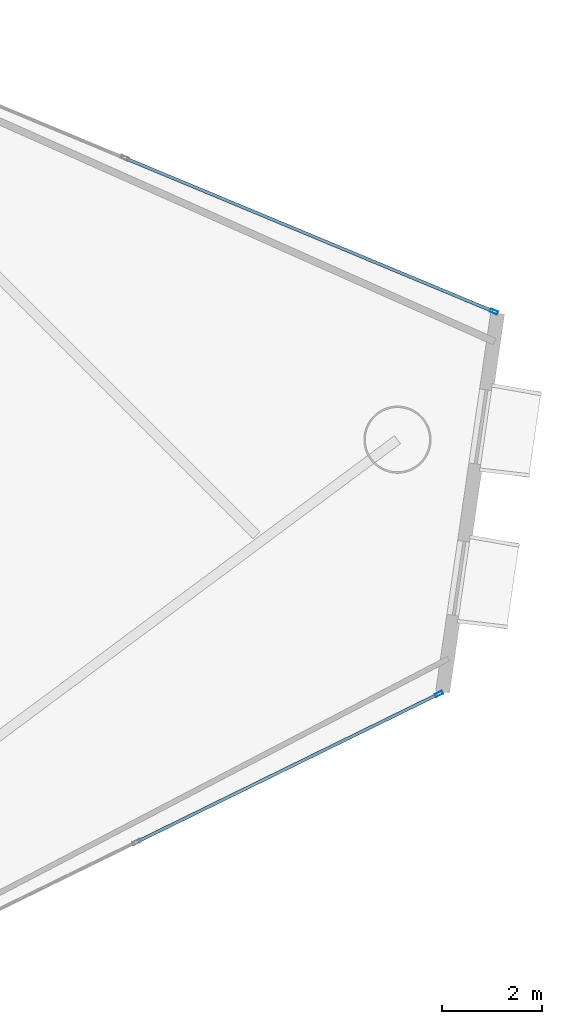
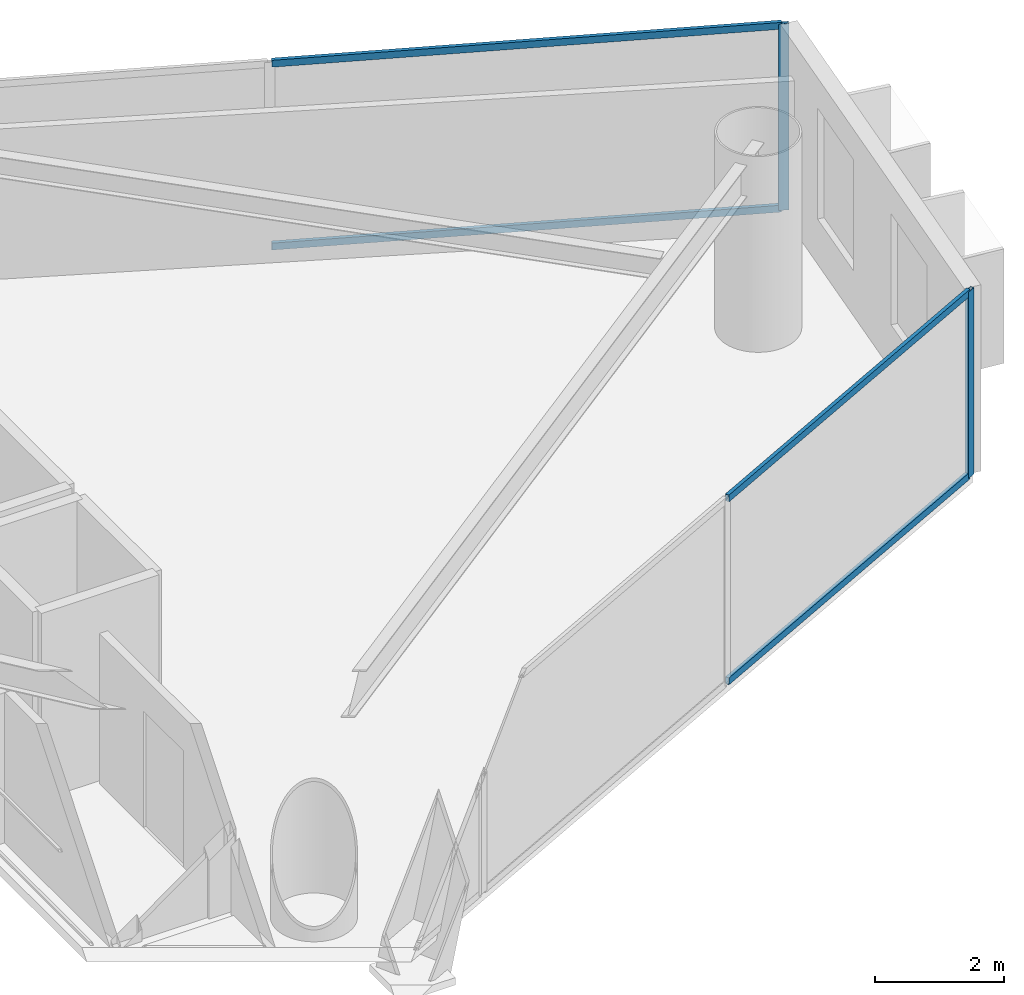
# One storey, part 16 of 23: 6 members, 2 elements without a shape of their own.
"""IFC4 building model written with IfcOpenShell, lengths in metres."""

from ifc_helpers import new_model, si_unit, direction, frame, origin, origin_2d, place, context, subcontext, project, spatial, hollow_rectangle, extrude, material, layer, layer_set, material_profile, profile_set, type_object, element, aggregate, save


model = new_model("IFC4")

# Units and contexts
model_context = context("Model", 3, precision=1e-05, world=origin(), true_north=direction((0.0, 1.0)))
body_context = subcontext(model_context, "Body", "Model", "MODEL_VIEW")
ifc_project = project(units=[si_unit("LENGTHUNIT", "METRE"), si_unit("AREAUNIT", "SQUARE_METRE"), si_unit("VOLUMEUNIT", "CUBIC_METRE"), si_unit("PLANEANGLEUNIT", "RADIAN"), si_unit("MASSUNIT", "GRAM", prefix="KILO")], contexts=[model_context])

# Site, building, storey
site_placement = place(None, origin())
site = spatial("IfcSite", under=ifc_project, at=site_placement, CompositionType="ELEMENT")
building_placement = place(site_placement, origin())
building = spatial("IfcBuilding", under=site, at=building_placement, Name="Qianvela Tower", CompositionType="ELEMENT")
storey_placement = place(building_placement, frame((0.0, 0.0, 162.39990234375)))
storey = spatial("IfcBuildingStorey", under=building, at=storey_placement, Name="L41", CompositionType="ELEMENT", Elevation=162.39990234375)

# Curtain wall, member
ifc_material_1 = material(Name="Anodised Architectural Aluminium and Low-E Glass", Category="aluminium")
ifc_layer = layer(ifc_material_1, 0.169921875)
ifc_layer_set = layer_set([ifc_layer], Name="Anodised Architectural Aluminium and Low-E Glass")
curtain_wall_type = type_object("IfcCurtainWallType", Name="CW-COLIV-Z34", PredefinedType="USERDEFINED", material=ifc_layer_set)
curtain_wall_1_placement = place(storey_placement, origin())
curtain_wall_1 = element("IfcCurtainWall", 1, at=curtain_wall_1_placement, inside=storey, type_object=curtain_wall_type, Name="L41 CW-COLIV-Z34 Curtain Wall 02A", ObjectType="CURTAIN_WALL_SYSTEM", PredefinedType="USERDEFINED")
ifc_material_2 = material(Name="Anodised Architectural Aluminium 6063-T6", Category="aluminium")
ifc_material_profile_1 = material_profile(ifc_material_2, hollow_rectangle(XDim=0.06494140625, YDim=0.159912109375, WallThickness=0.0048828125, at=origin_2d()), Name="ALU-MULL-65x160")
ifc_profile_set_1 = profile_set([ifc_material_profile_1], Name="Anodised Architectural Aluminium 6063-T6")
member_type_1 = type_object("IfcMemberType", Name="CW-COLIV-Z34-MULL", PredefinedType="MULLION", material=ifc_profile_set_1)
member_1_placement = place(storey_placement, frame((59.368408203125, 30.186767578125, 0.0), z_axis=(0.0, 0.0, 1.0), x_axis=(-0.384185162633, -0.923256064596, 0.0)))
member_1 = element("IfcMember", 2, at=member_1_placement, type_object=member_type_1, Name="CW-4 mullion 1", PredefinedType="MULLION", context=body_context, shape_type="SweptSolid", body=[
    extrude(hollow_rectangle(XDim=0.06494140625, YDim=0.159912109375, WallThickness=0.0048828125, at=origin_2d()), origin(), (0.0, 0.0, 1.0), 3.52001953125),
])

curtain_wall_2_placement = place(storey_placement, origin())
curtain_wall_2 = element("IfcCurtainWall", 3, at=curtain_wall_2_placement, inside=storey, type_object=curtain_wall_type, Name="L41 CW-COLIV-Z34 Curtain Wall 06C", ObjectType="CURTAIN_WALL_SYSTEM", PredefinedType="USERDEFINED")
member_2_placement = place(storey_placement, frame((58.2666015625, 22.51806640625, 0.0), z_axis=(0.0, 0.0, 1.0), x_axis=(-0.440146392296, 0.897926028885, 0.0)))
member_2 = element("IfcMember", 4, at=member_2_placement, type_object=member_type_1, Name="CW-4 mullion 3", PredefinedType="MULLION", context=body_context, shape_type="SweptSolid", body=[
    extrude(hollow_rectangle(XDim=0.06494140625, YDim=0.159912109375, WallThickness=0.0048828125, at=origin_2d()), origin(), (0.0, 0.0, 1.0), 3.52001953125),
])

# Member
ifc_material_3 = material(Name="Anodised Architectural Aluminium 6063-T6", Category="aluminium")
ifc_material_profile_2 = material_profile(ifc_material_3, hollow_rectangle(XDim=0.06494140625, YDim=0.1298828125, WallThickness=0.00439453125, at=origin_2d()), Name="ALU-TRAN-65x130")
ifc_profile_set_2 = profile_set([ifc_material_profile_2], Name="Anodised Architectural Aluminium 6063-T6")
member_type_2 = type_object("IfcMemberType", Name="CW-COLIV-Z34-TRAN", PredefinedType="USERDEFINED", material=ifc_profile_set_2)
member_3_placement = place(storey_placement, frame((59.33837890625, 30.19921875, 0.03271484375), z_axis=(-0.923254738212, 0.384188350122, 0.0), x_axis=(-0.384188350122, -0.923254738212, 0.0)))
member_3 = element("IfcMember", 5, at=member_3_placement, type_object=member_type_2, Name="CW-4 transom 1.1", ObjectType="TRANSOM", PredefinedType="USERDEFINED", context=body_context, shape_type="SweptSolid", body=[
    extrude(hollow_rectangle(XDim=0.06494140625, YDim=0.1298828125, WallThickness=0.00439453125, at=origin_2d()), origin(), (0.0, 0.0, 1.0), 7.957275390625),
])

member_4_placement = place(storey_placement, frame((59.33837890625, 30.19921875, 3.487548828125), z_axis=(-0.923254738212, 0.384188350122, 0.0), x_axis=(-0.384188350122, -0.923254738212, 0.0)))
member_4 = element("IfcMember", 6, at=member_4_placement, type_object=member_type_2, Name="CW-4 transom 1.2", ObjectType="TRANSOM", PredefinedType="USERDEFINED", context=body_context, shape_type="SweptSolid", body=[
    extrude(hollow_rectangle(XDim=0.06494140625, YDim=0.1298828125, WallThickness=0.00439453125, at=origin_2d()), origin(), (0.0, 0.0, 1.0), 7.957275390625),
])

aggregate(curtain_wall_1, [member_1, member_3, member_4])

member_5_placement = place(storey_placement, frame((52.22705078125, 19.5576171875, 0.03271484375), z_axis=(0.897937115886, 0.440123773403, 0.0), x_axis=(-0.440123773403, 0.897937115886, 0.0)))
member_5 = element("IfcMember", 7, at=member_5_placement, type_object=member_type_2, Name="CW-4 transom 2.1", ObjectType="TRANSOM", PredefinedType="USERDEFINED", context=body_context, shape_type="SweptSolid", body=[
    extrude(hollow_rectangle(XDim=0.06494140625, YDim=0.1298828125, WallThickness=0.00439453125, at=origin_2d()), origin(), (0.0, 0.0, 1.0), 6.693603515625),
])

member_6_placement = place(storey_placement, frame((52.22705078125, 19.5576171875, 3.487548828125), z_axis=(0.897937115886, 0.440123773403, 0.0), x_axis=(-0.440123773403, 0.897937115886, 0.0)))
member_6 = element("IfcMember", 8, at=member_6_placement, type_object=member_type_2, Name="CW-4 transom 2.2", ObjectType="TRANSOM", PredefinedType="USERDEFINED", context=body_context, shape_type="SweptSolid", body=[
    extrude(hollow_rectangle(XDim=0.06494140625, YDim=0.1298828125, WallThickness=0.00439453125, at=origin_2d()), origin(), (0.0, 0.0, 1.0), 6.693603515625),
])

aggregate(curtain_wall_2, [member_2, member_5, member_6])

save(model, "model.ifc")
